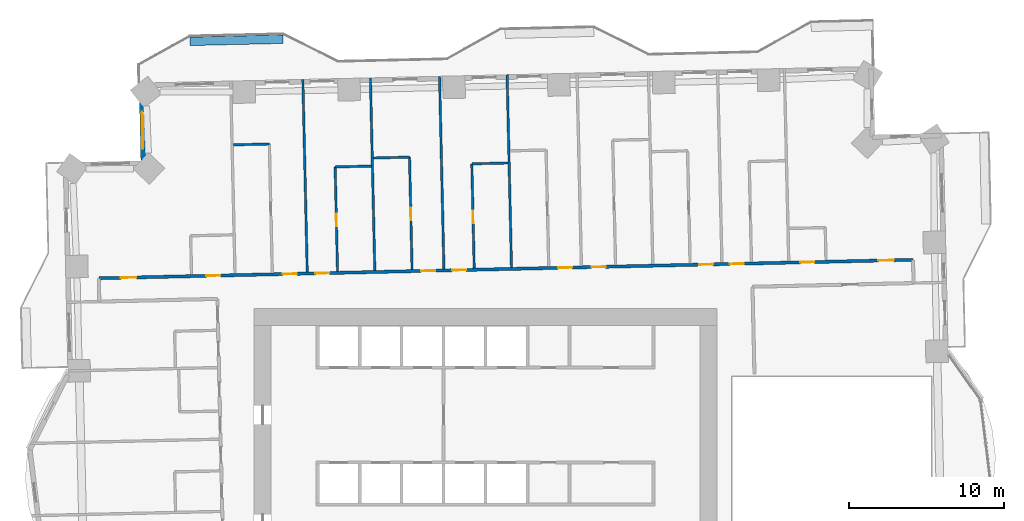
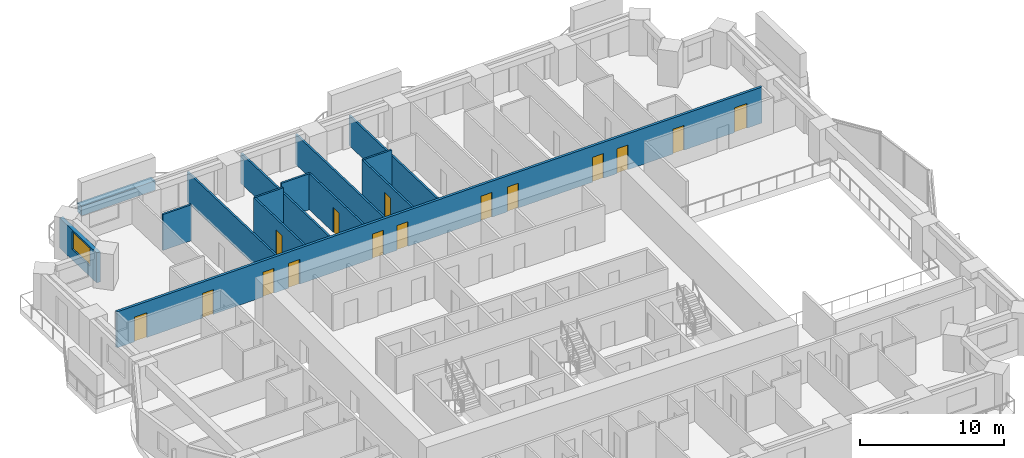
# One storey, part 11 of 17: 15 doors, 14 walls, 1 window, 16 openings.
"""IFC4 building model written with IfcOpenShell, lengths in metres."""

from ifc_helpers import new_model, si_unit, direction, frame, frame_2d, origin, place, context, subcontext, project, spatial, rectangle, extrude, material, layer, layer_set, type_object, element, fill, save


model = new_model("IFC4")

# Units and contexts
model_context = context("Model", 3, precision=1e-05, world=origin(), true_north=direction((0.0, 1.0)))
body_context = subcontext(model_context, "Body", "Model", "MODEL_VIEW")
ifc_project = project(units=[si_unit("LENGTHUNIT", "METRE"), si_unit("AREAUNIT", "SQUARE_METRE"), si_unit("VOLUMEUNIT", "CUBIC_METRE"), si_unit("PLANEANGLEUNIT", "RADIAN"), si_unit("MASSUNIT", "GRAM", prefix="KILO")], contexts=[model_context])

# Site, building, storey
site_placement = place(None, origin())
site = spatial("IfcSite", under=ifc_project, at=site_placement, CompositionType="ELEMENT")
building_placement = place(site_placement, origin())
building = spatial("IfcBuilding", under=site, at=building_placement, Name="Mangrove Gate Tower", CompositionType="ELEMENT")
storey_placement = place(building_placement, frame((0.0, 0.0, 86.5)))
storey = spatial("IfcBuildingStorey", under=building, at=storey_placement, Name="L21", CompositionType="ELEMENT", Elevation=86.5)

# Wall, openings, doors
ifc_material_1 = material(Name="Gypsum board on steel stud, EI 60", Category="steel")
ifc_layer_1 = layer(ifc_material_1, 0.199951171875)
ifc_layer_set_1 = layer_set([ifc_layer_1], Name="Corridor wall EI 60")
wall_type_1 = type_object("IfcWallType", Name="Corridor wall EI 60", PredefinedType="PARTITIONING", material=ifc_layer_set_1)
wall_1_placement = place(storey_placement, frame((-24.89501953125, 13.85205078125, 0.0), z_axis=(0.0, 0.0, 1.0), x_axis=(0.999742765181, 0.02268046447, 0.0)))
wall_1 = element("IfcWall", 1, at=wall_1_placement, inside=storey, type_object=wall_type_1, Name="WALL-L21-061", PredefinedType="PARTITIONING", context=body_context, shape_type="SweptSolid", body=[
    extrude(rectangle(XDim=52.42236328125, YDim=0.199951171875, at=frame_2d((26.211181640625, 0.0))), origin(), (0.0, 0.0, 1.0), 3.050048828125),
])
opening_1_placement = place(wall_1_placement, frame((50.18603515625, 0.0, 0.0)))
opening_1 = element("IfcOpeningElement", 2, at=opening_1_placement, cuts=wall_1, Name="Opening AD", PredefinedType="OPENING", context=body_context, shape_type="SweptSolid", body=[
    extrude(rectangle(XDim=1.0, YDim=2.10009765625, at=frame_2d((0.5, 1.050048828125))), frame((0.0, 0.10986328125, 0.0), z_axis=(0.0, -1.0, 0.0), x_axis=(1.0, 0.0, 0.0)), (0.0, 0.0, 1.0), 0.219970703125),
])
opening_2_placement = place(wall_1_placement, frame((45.175048828125, 0.0, 0.0)))
opening_2 = element("IfcOpeningElement", 3, at=opening_2_placement, cuts=wall_1, Name="Opening SD", PredefinedType="OPENING", context=body_context, shape_type="SweptSolid", body=[
    extrude(rectangle(XDim=0.89990234375, YDim=2.10009765625, at=frame_2d((0.449951171875, 1.050048828125))), frame((0.0, 0.10986328125, 0.0), z_axis=(0.0, -1.0, 0.0), x_axis=(1.0, 0.0, 0.0)), (0.0, 0.0, 1.0), 0.219970703125),
])
opening_3_placement = place(wall_1_placement, frame((40.625, 0.0, 0.0)))
opening_3 = element("IfcOpeningElement", 4, at=opening_3_placement, cuts=wall_1, Name="Opening BD", PredefinedType="OPENING", context=body_context, shape_type="SweptSolid", body=[
    extrude(rectangle(XDim=0.89990234375, YDim=2.10009765625, at=frame_2d((0.449951171875, 1.050048828125))), frame((0.0, 0.10986328125, 0.0), z_axis=(0.0, -1.0, 0.0), x_axis=(1.0, 0.0, 0.0)), (0.0, 0.0, 1.0), 0.219970703125),
])
opening_4_placement = place(wall_1_placement, frame((38.64990234375, 0.0, 0.0)))
opening_4 = element("IfcOpeningElement", 5, at=opening_4_placement, cuts=wall_1, Name="Opening BD", PredefinedType="OPENING", context=body_context, shape_type="SweptSolid", body=[
    extrude(rectangle(XDim=0.89990234375, YDim=2.10009765625, at=frame_2d((0.449951171875, 1.050048828125))), frame((0.0, 0.10986328125, 0.0), z_axis=(0.0, -1.0, 0.0), x_axis=(1.0, 0.0, 0.0)), (0.0, 0.0, 1.0), 0.219970703125),
])
opening_5_placement = place(wall_1_placement, frame((31.72509765625, 0.0, 0.0)))
opening_5 = element("IfcOpeningElement", 6, at=opening_5_placement, cuts=wall_1, Name="Opening BD", PredefinedType="OPENING", context=body_context, shape_type="SweptSolid", body=[
    extrude(rectangle(XDim=0.89990234375, YDim=2.10009765625, at=frame_2d((0.449951171875, 1.050048828125))), frame((0.0, 0.10986328125, 0.0), z_axis=(0.0, -1.0, 0.0), x_axis=(1.0, 0.0, 0.0)), (0.0, 0.0, 1.0), 0.219970703125),
])
opening_6_placement = place(wall_1_placement, frame((29.574951171875, 0.0, 0.0)))
opening_6 = element("IfcOpeningElement", 7, at=opening_6_placement, cuts=wall_1, Name="Opening BD", PredefinedType="OPENING", context=body_context, shape_type="SweptSolid", body=[
    extrude(rectangle(XDim=0.89990234375, YDim=2.10009765625, at=frame_2d((0.449951171875, 1.050048828125))), frame((0.0, 0.10986328125, 0.0), z_axis=(0.0, -1.0, 0.0), x_axis=(1.0, 0.0, 0.0)), (0.0, 0.0, 1.0), 0.219970703125),
])
opening_7_placement = place(wall_1_placement, frame((22.75, 0.0, 0.0)))
opening_7 = element("IfcOpeningElement", 8, at=opening_7_placement, cuts=wall_1, Name="Opening BD", PredefinedType="OPENING", context=body_context, shape_type="SweptSolid", body=[
    extrude(rectangle(XDim=0.89990234375, YDim=2.10009765625, at=frame_2d((0.449951171875, 1.050048828125))), frame((0.0, 0.10986328125, 0.0), z_axis=(0.0, -1.0, 0.0), x_axis=(1.0, 0.0, 0.0)), (0.0, 0.0, 1.0), 0.219970703125),
])
opening_8_placement = place(wall_1_placement, frame((20.75, 0.0, 0.0)))
opening_8 = element("IfcOpeningElement", 9, at=opening_8_placement, cuts=wall_1, Name="Opening BD", PredefinedType="OPENING", context=body_context, shape_type="SweptSolid", body=[
    extrude(rectangle(XDim=0.89990234375, YDim=2.10009765625, at=frame_2d((0.449951171875, 1.050048828125))), frame((0.0, 0.10986328125, 0.0), z_axis=(0.0, -1.0, 0.0), x_axis=(1.0, 0.0, 0.0)), (0.0, 0.0, 1.0), 0.219970703125),
])
opening_9_placement = place(wall_1_placement, frame((13.949951171875, 0.0, 0.0)))
opening_9 = element("IfcOpeningElement", 10, at=opening_9_placement, cuts=wall_1, Name="Opening BD", PredefinedType="OPENING", context=body_context, shape_type="SweptSolid", body=[
    extrude(rectangle(XDim=0.89990234375, YDim=2.10009765625, at=frame_2d((0.449951171875, 1.050048828125))), frame((0.0, 0.10986328125, 0.0), z_axis=(0.0, -1.0, 0.0), x_axis=(1.0, 0.0, 0.0)), (0.0, 0.0, 1.0), 0.219970703125),
])
opening_10_placement = place(wall_1_placement, frame((11.85009765625, 0.0, 0.0)))
opening_10 = element("IfcOpeningElement", 11, at=opening_10_placement, cuts=wall_1, Name="Opening BD", PredefinedType="OPENING", context=body_context, shape_type="SweptSolid", body=[
    extrude(rectangle(XDim=0.89990234375, YDim=2.10009765625, at=frame_2d((0.449951171875, 1.050048828125))), frame((0.0, 0.10986328125, 0.0), z_axis=(0.0, -1.0, 0.0), x_axis=(1.0, 0.0, 0.0)), (0.0, 0.0, 1.0), 0.219970703125),
])
opening_11_placement = place(wall_1_placement, frame((1.425048828125, 0.0, 0.0)))
opening_11 = element("IfcOpeningElement", 12, at=opening_11_placement, cuts=wall_1, Name="Opening AD", PredefinedType="OPENING", context=body_context, shape_type="SweptSolid", body=[
    extrude(rectangle(XDim=1.0, YDim=2.10009765625, at=frame_2d((0.5, 1.050048828125))), frame((0.0, 0.10986328125, 0.0), z_axis=(0.0, -1.0, 0.0), x_axis=(1.0, 0.0, 0.0)), (0.0, 0.0, 1.0), 0.219970703125),
])
opening_12_placement = place(wall_1_placement, frame((6.925048828125, 0.0, 0.0)))
opening_12 = element("IfcOpeningElement", 13, at=opening_12_placement, cuts=wall_1, Name="Opening SD", PredefinedType="OPENING", context=body_context, shape_type="SweptSolid", body=[
    extrude(rectangle(XDim=0.89990234375, YDim=2.10009765625, at=frame_2d((0.449951171875, 1.050048828125))), frame((0.0, 0.10986328125, 0.0), z_axis=(0.0, -1.0, 0.0), x_axis=(1.0, 0.0, 0.0)), (0.0, 0.0, 1.0), 0.219970703125),
])
ifc_material_2 = material(Name="Timber door leaf", Category="wood")
door_type_1 = type_object("IfcDoorType", Name="Amenity door 1000", OperationType="SINGLE_SWING_LEFT", PredefinedType="DOOR", material=ifc_material_2)
door_1_placement = place(opening_1_placement, origin())
door_1 = element("IfcDoor", 14, at=door_1_placement, inside=storey, type_object=door_type_1, Name="DOOR-L21-GAM-c3c", OperationType="SINGLE_SWING_LEFT", OverallHeight=2.10009765625, OverallWidth=1.0, PredefinedType="DOOR", context=body_context, shape_type="SweptSolid", body=[
    extrude(rectangle(XDim=1.0, YDim=2.10009765625, at=frame_2d((0.5, 1.050048828125))), frame((0.0, 0.02490234375, 0.0), z_axis=(0.0, -1.0, 0.0), x_axis=(1.0, 0.0, 0.0)), (0.0, 0.0, 1.0), 0.050048828125),
])
fill(opening_1, door_1)
door_2_placement = place(opening_11_placement, origin())
door_2 = element("IfcDoor", 15, at=door_2_placement, inside=storey, type_object=door_type_1, Name="DOOR-L21-GAM-c5a", OperationType="SINGLE_SWING_RIGHT", OverallHeight=2.10009765625, OverallWidth=1.0, PredefinedType="DOOR", context=body_context, shape_type="SweptSolid", body=[
    extrude(rectangle(XDim=1.0, YDim=2.10009765625, at=frame_2d((0.5, 1.050048828125))), frame((0.0, 0.02490234375, 0.0), z_axis=(0.0, -1.0, 0.0), x_axis=(1.0, 0.0, 0.0)), (0.0, 0.0, 1.0), 0.050048828125),
])
fill(opening_11, door_2)
ifc_material_3 = material(Name="Timber door leaf", Category="wood")
door_type_2 = type_object("IfcDoorType", Name="Bedroom door 900", OperationType="SINGLE_SWING_LEFT", PredefinedType="DOOR", material=ifc_material_3)
door_3_placement = place(opening_3_placement, origin())
door_3 = element("IfcDoor", 16, at=door_3_placement, inside=storey, type_object=door_type_2, Name="DOOR-L21-BED-c309", OperationType="SINGLE_SWING_LEFT", OverallHeight=2.10009765625, OverallWidth=0.89990234375, PredefinedType="DOOR", context=body_context, shape_type="SweptSolid", body=[
    extrude(rectangle(XDim=0.89990234375, YDim=2.10009765625, at=frame_2d((0.449951171875, 1.050048828125))), frame((0.0, 0.02490234375, 0.0), z_axis=(0.0, -1.0, 0.0), x_axis=(1.0, 0.0, 0.0)), (0.0, 0.0, 1.0), 0.050048828125),
])
fill(opening_3, door_3)
door_4_placement = place(opening_4_placement, origin())
door_4 = element("IfcDoor", 17, at=door_4_placement, inside=storey, type_object=door_type_2, Name="DOOR-L21-BED-c310", OperationType="SINGLE_SWING_RIGHT", OverallHeight=2.10009765625, OverallWidth=0.89990234375, PredefinedType="DOOR", context=body_context, shape_type="SweptSolid", body=[
    extrude(rectangle(XDim=0.89990234375, YDim=2.10009765625, at=frame_2d((0.449951171875, 1.050048828125))), frame((0.0, 0.02490234375, 0.0), z_axis=(0.0, -1.0, 0.0), x_axis=(1.0, 0.0, 0.0)), (0.0, 0.0, 1.0), 0.050048828125),
])
fill(opening_4, door_4)
door_5_placement = place(opening_5_placement, origin())
door_5 = element("IfcDoor", 18, at=door_5_placement, inside=storey, type_object=door_type_2, Name="DOOR-L21-BED-c411", OperationType="SINGLE_SWING_LEFT", OverallHeight=2.10009765625, OverallWidth=0.89990234375, PredefinedType="DOOR", context=body_context, shape_type="SweptSolid", body=[
    extrude(rectangle(XDim=0.89990234375, YDim=2.10009765625, at=frame_2d((0.449951171875, 1.050048828125))), frame((0.0, 0.02490234375, 0.0), z_axis=(0.0, -1.0, 0.0), x_axis=(1.0, 0.0, 0.0)), (0.0, 0.0, 1.0), 0.050048828125),
])
fill(opening_5, door_5)
door_6_placement = place(opening_6_placement, origin())
door_6 = element("IfcDoor", 19, at=door_6_placement, inside=storey, type_object=door_type_2, Name="DOOR-L21-BED-c412", OperationType="SINGLE_SWING_RIGHT", OverallHeight=2.10009765625, OverallWidth=0.89990234375, PredefinedType="DOOR", context=body_context, shape_type="SweptSolid", body=[
    extrude(rectangle(XDim=0.89990234375, YDim=2.10009765625, at=frame_2d((0.449951171875, 1.050048828125))), frame((0.0, 0.02490234375, 0.0), z_axis=(0.0, -1.0, 0.0), x_axis=(1.0, 0.0, 0.0)), (0.0, 0.0, 1.0), 0.050048828125),
])
fill(opening_6, door_6)
door_7_placement = place(opening_7_placement, origin())
door_7 = element("IfcDoor", 20, at=door_7_placement, inside=storey, type_object=door_type_2, Name="DOOR-L21-BED-c413", OperationType="SINGLE_SWING_LEFT", OverallHeight=2.10009765625, OverallWidth=0.89990234375, PredefinedType="DOOR", context=body_context, shape_type="SweptSolid", body=[
    extrude(rectangle(XDim=0.89990234375, YDim=2.10009765625, at=frame_2d((0.449951171875, 1.050048828125))), frame((0.0, 0.02490234375, 0.0), z_axis=(0.0, -1.0, 0.0), x_axis=(1.0, 0.0, 0.0)), (0.0, 0.0, 1.0), 0.050048828125),
])
fill(opening_7, door_7)
door_8_placement = place(opening_8_placement, origin())
door_8 = element("IfcDoor", 21, at=door_8_placement, inside=storey, type_object=door_type_2, Name="DOOR-L21-BED-c514", OperationType="SINGLE_SWING_RIGHT", OverallHeight=2.10009765625, OverallWidth=0.89990234375, PredefinedType="DOOR", context=body_context, shape_type="SweptSolid", body=[
    extrude(rectangle(XDim=0.89990234375, YDim=2.10009765625, at=frame_2d((0.449951171875, 1.050048828125))), frame((0.0, 0.02490234375, 0.0), z_axis=(0.0, -1.0, 0.0), x_axis=(1.0, 0.0, 0.0)), (0.0, 0.0, 1.0), 0.050048828125),
])
fill(opening_8, door_8)
door_9_placement = place(opening_9_placement, origin())
door_9 = element("IfcDoor", 22, at=door_9_placement, inside=storey, type_object=door_type_2, Name="DOOR-L21-BED-c515", OperationType="SINGLE_SWING_LEFT", OverallHeight=2.10009765625, OverallWidth=0.89990234375, PredefinedType="DOOR", context=body_context, shape_type="SweptSolid", body=[
    extrude(rectangle(XDim=0.89990234375, YDim=2.10009765625, at=frame_2d((0.449951171875, 1.050048828125))), frame((0.0, 0.02490234375, 0.0), z_axis=(0.0, -1.0, 0.0), x_axis=(1.0, 0.0, 0.0)), (0.0, 0.0, 1.0), 0.050048828125),
])
fill(opening_9, door_9)
door_10_placement = place(opening_10_placement, origin())
door_10 = element("IfcDoor", 23, at=door_10_placement, inside=storey, type_object=door_type_2, Name="DOOR-L21-BED-c516", OperationType="SINGLE_SWING_RIGHT", OverallHeight=2.10009765625, OverallWidth=0.89990234375, PredefinedType="DOOR", context=body_context, shape_type="SweptSolid", body=[
    extrude(rectangle(XDim=0.89990234375, YDim=2.10009765625, at=frame_2d((0.449951171875, 1.050048828125))), frame((0.0, 0.02490234375, 0.0), z_axis=(0.0, -1.0, 0.0), x_axis=(1.0, 0.0, 0.0)), (0.0, 0.0, 1.0), 0.050048828125),
])
fill(opening_10, door_10)
ifc_material_4 = material(Name="Timber door leaf", Category="wood")
door_type_3 = type_object("IfcDoorType", Name="Service room door 900", OperationType="SINGLE_SWING_LEFT", PredefinedType="DOOR", material=ifc_material_4)
door_11_placement = place(opening_2_placement, origin())
door_11 = element("IfcDoor", 24, at=door_11_placement, inside=storey, type_object=door_type_3, Name="DOOR-L21-LIN-c3a", OperationType="SINGLE_SWING_LEFT", OverallHeight=2.10009765625, OverallWidth=0.89990234375, PredefinedType="DOOR", context=body_context, shape_type="SweptSolid", body=[
    extrude(rectangle(XDim=0.89990234375, YDim=2.10009765625, at=frame_2d((0.449951171875, 1.050048828125))), frame((0.0, 0.02490234375, 0.0), z_axis=(0.0, -1.0, 0.0), x_axis=(1.0, 0.0, 0.0)), (0.0, 0.0, 1.0), 0.050048828125),
])
fill(opening_2, door_11)
door_12_placement = place(opening_12_placement, origin())
door_12 = element("IfcDoor", 25, at=door_12_placement, inside=storey, type_object=door_type_3, Name="DOOR-L21-LDY-c5a", OperationType="SINGLE_SWING_RIGHT", OverallHeight=2.10009765625, OverallWidth=0.89990234375, PredefinedType="DOOR", context=body_context, shape_type="SweptSolid", body=[
    extrude(rectangle(XDim=0.89990234375, YDim=2.10009765625, at=frame_2d((0.449951171875, 1.050048828125))), frame((0.0, 0.02490234375, 0.0), z_axis=(0.0, -1.0, 0.0), x_axis=(1.0, 0.0, 0.0)), (0.0, 0.0, 1.0), 0.050048828125),
])
fill(opening_12, door_12)

# Wall, opening, window
ifc_material_5 = material(Name="Limestone", Category="masonry")
ifc_layer_2 = layer(ifc_material_5, 0.0400390625, Name="Limestone cladding")
ifc_material_6 = material(Name="Ventilated air gap")
ifc_layer_3 = layer(ifc_material_6, 0.0400390625, Name="Ventilated cavity")
ifc_material_7 = material(Name="Mineral wool insulation")
ifc_layer_4 = layer(ifc_material_7, 0.06005859375, Name="Insulation")
ifc_material_8 = material(Name="Breather membrane")
ifc_layer_5 = layer(ifc_material_8, 0.001953125, Name="Breather membrane")
ifc_material_9 = material(Name="Concrete C20/25 blockwork", Category="masonry")
ifc_layer_6 = layer(ifc_material_9, 0.14990234375, Name="Blockwork backing wall")
ifc_material_10 = material(Name="Gypsum plaster")
ifc_layer_7 = layer(ifc_material_10, 0.008056640625, Name="Internal plaster")
ifc_layer_set_2 = layer_set([ifc_layer_2, ifc_layer_3, ifc_layer_4, ifc_layer_5, ifc_layer_6, ifc_layer_7], Name="External wall 300 limestone cladding")
wall_type_2 = type_object("IfcWallType", Name="External wall 300 limestone cladding", PredefinedType="SOLIDWALL", material=ifc_layer_set_2)
wall_2_placement = place(storey_placement, frame((-22.15087890625, 26.26708984375, 0.0), z_axis=(0.0, 0.0, 1.0), x_axis=(0.022756903044, -0.999741028149, 0.0)))
wall_2 = element("IfcWall", 26, at=wall_2_placement, inside=storey, type_object=wall_type_2, Name="WALL-L21-W6", PredefinedType="SOLIDWALL", context=body_context, shape_type="SweptSolid", body=[
    extrude(rectangle(XDim=4.999267578125, YDim=0.300048828125, at=frame_2d((2.49951171875, 0.0))), origin(), (0.0, 0.0, 1.0), 2.550048828125),
])
opening_13_placement = place(wall_2_placement, frame((1.69189453125, 0.0, 0.89990234375)))
opening_13 = element("IfcOpeningElement", 27, at=opening_13_placement, cuts=wall_2, Name="Opening W2", PredefinedType="OPENING", context=body_context, shape_type="SweptSolid", body=[
    extrude(rectangle(XDim=2.39990234375, YDim=1.5, at=frame_2d((1.199951171875, 0.75))), frame((0.0, 0.159912109375, 0.0), z_axis=(0.0, -1.0, 0.0), x_axis=(1.0, 0.0, 0.0)), (0.0, 0.0, 1.0), 0.320068359375),
])
ifc_material_11 = material(Name="Aluminium frame with double-glazed low-e glass", Category="aluminium")
window_type = type_object("IfcWindowType", Name="Corner room window 2400x1500", PartitioningType="DOUBLE_PANEL_VERTICAL", PredefinedType="WINDOW", material=ifc_material_11)
window_placement = place(opening_13_placement, origin())
window = element("IfcWindow", 28, at=window_placement, inside=storey, type_object=window_type, Name="WIN-L21-W6-1", OverallHeight=1.5, OverallWidth=2.39990234375, PartitioningType="DOUBLE_PANEL_VERTICAL", PredefinedType="WINDOW", context=body_context, shape_type="SweptSolid", body=[
    extrude(rectangle(XDim=2.39990234375, YDim=1.5, at=frame_2d((1.199951171875, 0.75))), frame((0.0, 0.030029296875, 0.0), z_axis=(0.0, -1.0, 0.0), x_axis=(1.0, 0.0, 0.0)), (0.0, 0.0, 1.0), 0.06005859375),
])
fill(opening_13, window)

# Wall
ifc_material_12 = material(Name="Gypsum board on steel stud, EI 60", Category="steel")
ifc_layer_8 = layer(ifc_material_12, 0.14990234375)
ifc_layer_set_3 = layer_set([ifc_layer_8], Name="Party wall 150 EI 60")
wall_type_3 = type_object("IfcWallType", Name="Party wall 150 EI 60", PredefinedType="PARTITIONING", material=ifc_layer_set_3)
wall_3_placement = place(storey_placement, frame((-11.47900390625, 14.257080078125, 0.0), z_axis=(0.0, 0.0, 1.0), x_axis=(-0.022741979748, 0.999741367733, 0.0)))
element("IfcWall", 29, at=wall_3_placement, inside=storey, type_object=wall_type_3, Name="WALL-L21-065", PredefinedType="PARTITIONING", context=body_context, shape_type="SweptSolid", body=[
    extrude(rectangle(XDim=12.399169921875, YDim=0.14990234375, at=frame_2d((6.19970703125, 0.0))), origin(), (0.0, 0.0, 1.0), 2.550048828125),
])

# Wall, opening, door
wall_4_placement = place(storey_placement, frame((-9.530029296875, 14.301025390625, 0.0), z_axis=(0.0, 0.0, 1.0), x_axis=(-0.022598435707, 0.999744622743, 0.0)))
wall_4 = element("IfcWall", 30, at=wall_4_placement, inside=storey, type_object=wall_type_3, Name="WALL-L21-066", PredefinedType="PARTITIONING", context=body_context, shape_type="SweptSolid", body=[
    extrude(rectangle(XDim=6.7197265625, YDim=0.14990234375, at=frame_2d((3.35986328125, 0.0))), origin(), (0.0, 0.0, 1.0), 3.050048828125),
])
opening_14_placement = place(wall_4_placement, frame((2.909912109375, 0.0, 0.0)))
opening_14 = element("IfcOpeningElement", 31, at=opening_14_placement, cuts=wall_4, Name="Opening ED", PredefinedType="OPENING", context=body_context, shape_type="SweptSolid", body=[
    extrude(rectangle(XDim=0.800048828125, YDim=2.10009765625, at=frame_2d((0.39990234375, 1.050048828125))), frame((0.0, 0.0849609375, 0.0), z_axis=(0.0, -1.0, 0.0), x_axis=(1.0, 0.0, 0.0)), (0.0, 0.0, 1.0), 0.169921875),
])
ifc_material_13 = material(Name="Timber door leaf", Category="wood")
door_type_4 = type_object("IfcDoorType", Name="En-suite door 800", OperationType="SINGLE_SWING_LEFT", PredefinedType="DOOR", material=ifc_material_13)
door_13_placement = place(opening_14_placement, origin())
door_13 = element("IfcDoor", 32, at=door_13_placement, inside=storey, type_object=door_type_4, Name="DOOR-L21-ENS-c515", OperationType="SINGLE_SWING_LEFT", OverallHeight=2.10009765625, OverallWidth=0.800048828125, PredefinedType="DOOR", context=body_context, shape_type="SweptSolid", body=[
    extrude(rectangle(XDim=0.800048828125, YDim=2.10009765625, at=frame_2d((0.39990234375, 1.050048828125))), frame((0.0, 0.02490234375, 0.0), z_axis=(0.0, -1.0, 0.0), x_axis=(1.0, 0.0, 0.0)), (0.0, 0.0, 1.0), 0.050048828125),
])
fill(opening_14, door_13)

# Wall
wall_5_placement = place(storey_placement, frame((-7.1298828125, 14.35498046875, 0.0), z_axis=(0.0, 0.0, 1.0), x_axis=(-0.022759867473, 0.999740960666, 0.0)))
element("IfcWall", 33, at=wall_5_placement, inside=storey, type_object=wall_type_3, Name="WALL-L21-067", PredefinedType="PARTITIONING", context=body_context, shape_type="SweptSolid", body=[
    extrude(rectangle(XDim=12.400146484375, YDim=0.14990234375, at=frame_2d((6.2001953125, 0.0))), origin(), (0.0, 0.0, 1.0), 2.550048828125),
])

# Wall, opening, door
wall_6_placement = place(storey_placement, frame((-4.73095703125, 14.409912109375, 0.0), z_axis=(0.0, 0.0, 1.0), x_axis=(-0.022660891034, 0.999743209038, 0.0)))
wall_6 = element("IfcWall", 34, at=wall_6_placement, inside=storey, type_object=wall_type_3, Name="WALL-L21-068", PredefinedType="PARTITIONING", context=body_context, shape_type="SweptSolid", body=[
    extrude(rectangle(XDim=7.239990234375, YDim=0.14990234375, at=frame_2d((3.6201171875, 0.0))), origin(), (0.0, 0.0, 1.0), 3.050048828125),
])
opening_15_placement = place(wall_6_placement, frame((3.169921875, 0.0, 0.0)))
opening_15 = element("IfcOpeningElement", 35, at=opening_15_placement, cuts=wall_6, Name="Opening ED", PredefinedType="OPENING", context=body_context, shape_type="SweptSolid", body=[
    extrude(rectangle(XDim=0.800048828125, YDim=2.10009765625, at=frame_2d((0.39990234375, 1.050048828125))), frame((0.0, 0.0849609375, 0.0), z_axis=(0.0, -1.0, 0.0), x_axis=(1.0, 0.0, 0.0)), (0.0, 0.0, 1.0), 0.169921875),
])
door_14_placement = place(opening_15_placement, origin())
door_14 = element("IfcDoor", 36, at=door_14_placement, inside=storey, type_object=door_type_4, Name="DOOR-L21-ENS-c514", OperationType="SINGLE_SWING_RIGHT", OverallHeight=2.10009765625, OverallWidth=0.800048828125, PredefinedType="DOOR", context=body_context, shape_type="SweptSolid", body=[
    extrude(rectangle(XDim=0.800048828125, YDim=2.10009765625, at=frame_2d((0.39990234375, 1.050048828125))), frame((0.0, 0.02490234375, 0.0), z_axis=(0.0, -1.0, 0.0), x_axis=(1.0, 0.0, 0.0)), (0.0, 0.0, 1.0), 0.050048828125),
])
fill(opening_15, door_14)

# Wall
wall_7_placement = place(storey_placement, frame((-2.681884765625, 14.4560546875, 0.0), z_axis=(0.0, 0.0, 1.0), x_axis=(-0.022661475803, 0.999743195783, 0.0)))
element("IfcWall", 37, at=wall_7_placement, inside=storey, type_object=wall_type_3, Name="WALL-L21-069", PredefinedType="PARTITIONING", context=body_context, shape_type="SweptSolid", body=[
    extrude(rectangle(XDim=12.400146484375, YDim=0.14990234375, at=frame_2d((6.2001953125, 0.0))), origin(), (0.0, 0.0, 1.0), 2.550048828125),
])

# Wall, opening, door
wall_8_placement = place(storey_placement, frame((-0.73193359375, 14.5, 0.0), z_axis=(0.0, 0.0, 1.0), x_axis=(-0.022776692057, 0.999740577499, 0.0)))
wall_8 = element("IfcWall", 38, at=wall_8_placement, inside=storey, type_object=wall_type_3, Name="WALL-L21-070", PredefinedType="PARTITIONING", context=body_context, shape_type="SweptSolid", body=[
    extrude(rectangle(XDim=6.720703125, YDim=0.14990234375, at=frame_2d((3.3603515625, 0.0))), origin(), (0.0, 0.0, 1.0), 3.050048828125),
])
opening_16_placement = place(wall_8_placement, frame((2.909912109375, 0.0, 0.0)))
opening_16 = element("IfcOpeningElement", 39, at=opening_16_placement, cuts=wall_8, Name="Opening ED", PredefinedType="OPENING", context=body_context, shape_type="SweptSolid", body=[
    extrude(rectangle(XDim=0.800048828125, YDim=2.10009765625, at=frame_2d((0.39990234375, 1.050048828125))), frame((0.0, 0.0849609375, 0.0), z_axis=(0.0, -1.0, 0.0), x_axis=(1.0, 0.0, 0.0)), (0.0, 0.0, 1.0), 0.169921875),
])
door_15_placement = place(opening_16_placement, origin())
door_15 = element("IfcDoor", 40, at=door_15_placement, inside=storey, type_object=door_type_4, Name="DOOR-L21-ENS-c413", OperationType="SINGLE_SWING_LEFT", OverallHeight=2.10009765625, OverallWidth=0.800048828125, PredefinedType="DOOR", context=body_context, shape_type="SweptSolid", body=[
    extrude(rectangle(XDim=0.800048828125, YDim=2.10009765625, at=frame_2d((0.39990234375, 1.050048828125))), frame((0.0, 0.02490234375, 0.0), z_axis=(0.0, -1.0, 0.0), x_axis=(1.0, 0.0, 0.0)), (0.0, 0.0, 1.0), 0.050048828125),
])
fill(opening_16, door_15)

# Walls
wall_9_placement = place(storey_placement, frame((1.6669921875, 14.554931640625, 0.0), z_axis=(0.0, 0.0, 1.0), x_axis=(-0.022661475803, 0.999743195783, 0.0)))
element("IfcWall", 41, at=wall_9_placement, inside=storey, type_object=wall_type_3, Name="WALL-L21-071", PredefinedType="PARTITIONING", context=body_context, shape_type="SweptSolid", body=[
    extrude(rectangle(XDim=12.400146484375, YDim=0.14990234375, at=frame_2d((6.2001953125, 0.0))), origin(), (0.0, 0.0, 1.0), 2.550048828125),
])
wall_10_placement = place(storey_placement, frame((-9.677978515625, 21.01904296875, 0.0), z_axis=(0.0, 0.0, 1.0), x_axis=(0.999740260747, 0.02279059109, 0.0)))
element("IfcWall", 42, at=wall_10_placement, inside=storey, type_object=wall_type_3, Name="WALL-L21-084", PredefinedType="PARTITIONING", context=body_context, shape_type="SweptSolid", body=[
    extrude(rectangle(XDim=2.324462890625, YDim=0.14990234375, at=frame_2d((1.162109375, 0.0))), origin(), (0.0, 0.0, 1.0), 3.050048828125),
])
wall_11_placement = place(storey_placement, frame((-0.881103515625, 21.218994140625, 0.0), z_axis=(0.0, 0.0, 1.0), x_axis=(0.99974053329, 0.022778632478, 0.0)))
element("IfcWall", 43, at=wall_11_placement, inside=storey, type_object=wall_type_3, Name="WALL-L21-085", PredefinedType="PARTITIONING", context=body_context, shape_type="SweptSolid", body=[
    extrude(rectangle(XDim=2.32568359375, YDim=0.14990234375, at=frame_2d((1.162841796875, 0.0))), origin(), (0.0, 0.0, 1.0), 3.050048828125),
])
wall_12_placement = place(storey_placement, frame((-7.216064453125, 21.594970703125, 0.0), z_axis=(0.0, 0.0, 1.0), x_axis=(0.999740478815, 0.022781023197, 0.0)))
element("IfcWall", 44, at=wall_12_placement, inside=storey, type_object=wall_type_3, Name="WALL-L21-086", PredefinedType="PARTITIONING", context=body_context, shape_type="SweptSolid", body=[
    extrude(rectangle(XDim=2.325439453125, YDim=0.14990234375, at=frame_2d((1.16259765625, 0.0))), origin(), (0.0, 0.0, 1.0), 3.050048828125),
])
wall_13_placement = place(storey_placement, frame((-16.237060546875, 22.44091796875, 0.0), z_axis=(0.0, 0.0, 1.0), x_axis=(0.999749744571, 0.022370700241, 0.0)))
element("IfcWall", 45, at=wall_13_placement, inside=storey, type_object=wall_type_3, Name="WALL-L21-090", PredefinedType="PARTITIONING", context=body_context, shape_type="SweptSolid", body=[
    extrude(rectangle(XDim=2.324462890625, YDim=0.14990234375, at=frame_2d((1.162109375, 0.0))), origin(), (0.0, 0.0, 1.0), 3.050048828125),
])
ifc_material_14 = material(Name="Concrete C32/40", Category="concrete")
ifc_layer_9 = layer(ifc_material_14, 0.199951171875, Name="Planter trough wall")
ifc_material_15 = material(Name="Bituminous waterproofing membrane")
ifc_layer_10 = layer(ifc_material_15, 0.0048828125, Name="Waterproofing")
ifc_material_16 = material(Name="Drainage board and gravel")
ifc_layer_11 = layer(ifc_material_16, 0.044921875, Name="Drainage layer")
ifc_material_17 = material(Name="Planting soil")
ifc_layer_12 = layer(ifc_material_17, 0.300048828125, Name="Growing medium")
ifc_layer_set_4 = layer_set([ifc_layer_9, ifc_layer_10, ifc_layer_11, ifc_layer_12], Name="Planter wall 550 C32/40")
wall_type_4 = type_object("IfcWallType", Name="Planter wall 550 C32/40", PredefinedType="USERDEFINED", material=ifc_layer_set_4)
wall_14_placement = place(storey_placement, frame((-19.028076171875, 29.10400390625, 0.0), z_axis=(0.0, 0.0, 1.0), x_axis=(0.999743094499, 0.022665943652, 0.0)))
element("IfcWall", 46, at=wall_14_placement, inside=storey, type_object=wall_type_4, Name="PLANTER L21 N1.1", ObjectType="PLANTER", PredefinedType="USERDEFINED", context=body_context, shape_type="SweptSolid", body=[
    extrude(rectangle(XDim=5.99951171875, YDim=0.550048828125, at=frame_2d((2.999755859375, 0.0))), origin(), (0.0, 0.0, 1.0), 0.800048828125),
])

save(model, "model.ifc")
